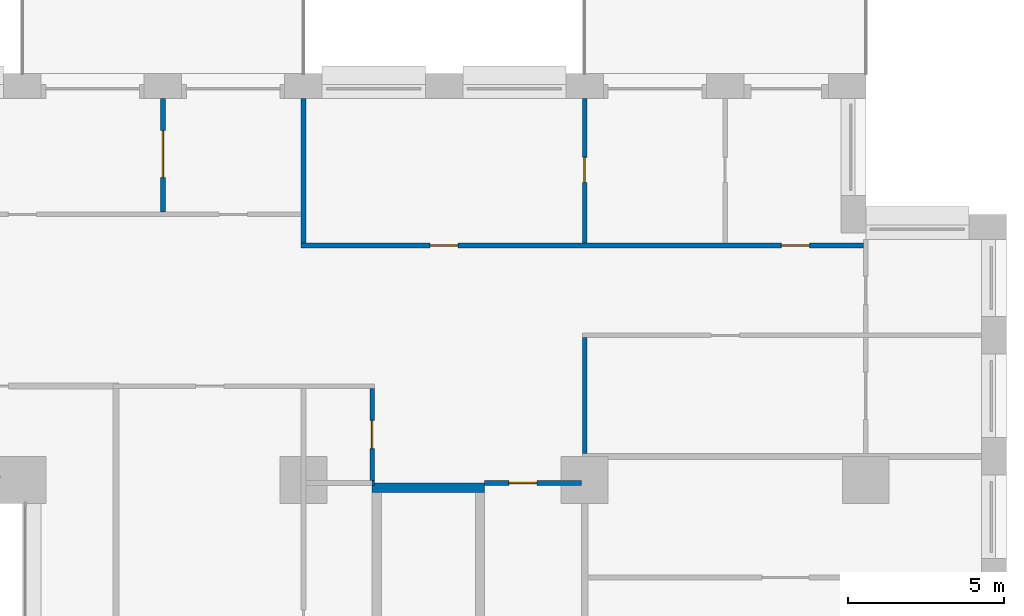
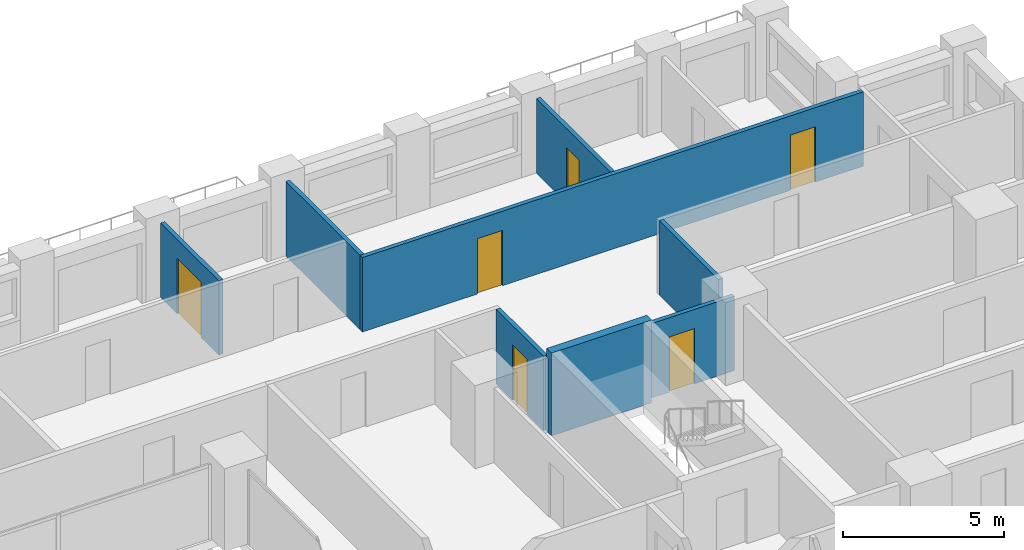
# One storey, part 15 of 20: 9 walls, 6 doors, 6 openings.
"""IFC4 building model written with IfcOpenShell, lengths in metres."""

from ifc_helpers import new_model, si_unit, direction, frame, frame_2d, origin, place, context, subcontext, project, spatial, rectangle, extrude, material, layer, layer_set, type_object, element, fill, save


model = new_model("IFC4")

# Units and contexts
model_context = context("Model", 3, precision=1e-05, world=origin(), true_north=direction((0.0, 1.0)))
body_context = subcontext(model_context, "Body", "Model", "MODEL_VIEW")
ifc_project = project(units=[si_unit("LENGTHUNIT", "METRE"), si_unit("AREAUNIT", "SQUARE_METRE"), si_unit("VOLUMEUNIT", "CUBIC_METRE"), si_unit("PLANEANGLEUNIT", "RADIAN"), si_unit("MASSUNIT", "GRAM", prefix="KILO")], contexts=[model_context])

# Site, building, storey
site_placement = place(None, origin())
site = spatial("IfcSite", under=ifc_project, at=site_placement, CompositionType="ELEMENT")
building_placement = place(site_placement, origin())
building = spatial("IfcBuilding", under=site, at=building_placement, Name="Brigalow Station Residences", CompositionType="ELEMENT")
storey_placement = place(building_placement, frame((0.0, 0.0, 63.60009765625)))
storey = spatial("IfcBuildingStorey", under=building, at=storey_placement, Name="L18", CompositionType="ELEMENT", Elevation=63.60009765625)

# Wall
ifc_material_1 = material(Name="Concrete C80", Category="concrete")
ifc_layer_1 = layer(ifc_material_1, 0.300048828125)
ifc_layer_set_1 = layer_set([ifc_layer_1], Name="CORE SHEAR WALL 300 C80")
wall_type_1 = type_object("IfcWallType", Name="CORE SHEAR WALL 300 C80", PredefinedType="SHEAR", material=ifc_layer_set_1)
wall_1_placement = place(storey_placement, frame((56.199951171875, 35.25, 0.0), z_axis=(0.0, 0.0, 1.0), x_axis=(1.0, 0.0, 0.0)))
element("IfcWall", 1, at=wall_1_placement, inside=storey, type_object=wall_type_1, Name="CORE WALL ST-S3-N L18", PredefinedType="SHEAR", context=body_context, shape_type="SweptSolid", body=[
    extrude(rectangle(XDim=3.60009765625, YDim=0.300048828125, at=frame_2d((1.800048828125, 0.0))), origin(), (0.0, 0.0, 1.0), 3.14990234375),
])

# Wall, openings, doors
ifc_material_2 = material(Name="Plasterboard on steel stud partition", Category="steel")
ifc_layer_2 = layer(ifc_material_2, 0.14990234375)
ifc_layer_set_2 = layer_set([ifc_layer_2], Name="FLAT PARTITION 150")
wall_type_2 = type_object("IfcWallType", Name="FLAT PARTITION 150", PredefinedType="PARTITIONING", material=ifc_layer_set_2)
wall_2_placement = place(storey_placement, frame((53.925048828125, 43.0, 0.0), z_axis=(0.0, 0.0, 1.0), x_axis=(1.0, 0.0, 0.0)))
wall_2 = element("IfcWall", 2, at=wall_2_placement, inside=storey, type_object=wall_type_2, Name="PW-1F23", PredefinedType="PARTITIONING", context=body_context, shape_type="SweptSolid", body=[
    extrude(rectangle(XDim=18.0, YDim=0.14990234375, at=frame_2d((9.0, 0.0))), origin(), (0.0, 0.0, 1.0), 2.829833984375),
])
opening_1_placement = place(wall_2_placement, frame((15.375, 0.0, 0.0)))
opening_1 = element("IfcOpeningElement", 3, at=opening_1_placement, cuts=wall_2, Name="Opening D-1F38", PredefinedType="OPENING", context=body_context, shape_type="SweptSolid", body=[
    extrude(rectangle(XDim=0.89990234375, YDim=2.10009765625, at=frame_2d((0.449951171875, 1.050048828125))), frame((0.0, 0.0849609375, 0.0), z_axis=(0.0, -1.0, 0.0), x_axis=(1.0, 0.0, 0.0)), (0.0, 0.0, 1.0), 0.169921875),
])
opening_2_placement = place(wall_2_placement, frame((4.125, 0.0, 0.0)))
opening_2 = element("IfcOpeningElement", 4, at=opening_2_placement, cuts=wall_2, Name="Opening D-1F44", PredefinedType="OPENING", context=body_context, shape_type="SweptSolid", body=[
    extrude(rectangle(XDim=0.89990234375, YDim=2.10009765625, at=frame_2d((0.449951171875, 1.050048828125))), frame((0.0, 0.0849609375, 0.0), z_axis=(0.0, -1.0, 0.0), x_axis=(1.0, 0.0, 0.0)), (0.0, 0.0, 1.0), 0.169921875),
])
ifc_material_3 = material(Name="Solid-core timber door leaf", Category="wood")
door_type_1 = type_object("IfcDoorType", Name="INTERNAL DOOR 900 x 2100", OperationType="SINGLE_SWING_LEFT", PredefinedType="DOOR", material=ifc_material_3)
door_1_placement = place(opening_1_placement, origin())
door_1 = element("IfcDoor", 5, at=door_1_placement, inside=storey, type_object=door_type_1, Name="D-1F38", OperationType="SINGLE_SWING_RIGHT", OverallHeight=2.10009765625, OverallWidth=0.89990234375, PredefinedType="DOOR", context=body_context, shape_type="SweptSolid", body=[
    extrude(rectangle(XDim=0.89990234375, YDim=2.10009765625, at=frame_2d((0.449951171875, 1.050048828125))), frame((0.0, 0.02490234375, 0.0), z_axis=(0.0, -1.0, 0.0), x_axis=(1.0, 0.0, 0.0)), (0.0, 0.0, 1.0), 0.050048828125),
])
fill(opening_1, door_1)
door_2_placement = place(opening_2_placement, origin())
door_2 = element("IfcDoor", 6, at=door_2_placement, inside=storey, type_object=door_type_1, Name="D-1F44", OperationType="SINGLE_SWING_RIGHT", OverallHeight=2.10009765625, OverallWidth=0.89990234375, PredefinedType="DOOR", context=body_context, shape_type="SweptSolid", body=[
    extrude(rectangle(XDim=0.89990234375, YDim=2.10009765625, at=frame_2d((0.449951171875, 1.050048828125))), frame((0.0, 0.02490234375, 0.0), z_axis=(0.0, -1.0, 0.0), x_axis=(1.0, 0.0, 0.0)), (0.0, 0.0, 1.0), 0.050048828125),
])
fill(opening_2, door_2)

# Wall
wall_3_placement = place(storey_placement, frame((56.199951171875, 35.39990234375, 0.0), z_axis=(0.0, 0.0, 1.0), x_axis=(1.0, 0.0, 0.0)))
element("IfcWall", 7, at=wall_3_placement, inside=storey, type_object=wall_type_2, Name="PW-1F27", PredefinedType="PARTITIONING", context=body_context, shape_type="SweptSolid", body=[
    extrude(rectangle(XDim=0.074951171875, YDim=0.14990234375, at=frame_2d((0.03759765625, 0.0))), origin(), (0.0, 0.0, 1.0), 2.829833984375),
])

# Wall, opening, door
wall_4_placement = place(storey_placement, frame((59.800048828125, 35.39990234375, 0.0), z_axis=(0.0, 0.0, 1.0), x_axis=(1.0, 0.0, 0.0)))
wall_4 = element("IfcWall", 8, at=wall_4_placement, inside=storey, type_object=wall_type_2, Name="PW-1F28", PredefinedType="PARTITIONING", context=body_context, shape_type="SweptSolid", body=[
    extrude(rectangle(XDim=3.099853515625, YDim=0.14990234375, at=frame_2d((1.5498046875, 0.0))), origin(), (0.0, 0.0, 1.0), 2.829833984375),
])
opening_3_placement = place(wall_4_placement, frame((0.77490234375, 0.0, 0.0)))
opening_3 = element("IfcOpeningElement", 9, at=opening_3_placement, cuts=wall_4, Name="Opening D-1F48", PredefinedType="OPENING", context=body_context, shape_type="SweptSolid", body=[
    extrude(rectangle(XDim=0.89990234375, YDim=2.10009765625, at=frame_2d((0.449951171875, 1.050048828125))), frame((0.0, 0.0849609375, 0.0), z_axis=(0.0, -1.0, 0.0), x_axis=(1.0, 0.0, 0.0)), (0.0, 0.0, 1.0), 0.169921875),
])
door_3_placement = place(opening_3_placement, frame((0.89990234375, 0.0, 0.0), z_axis=(0.0, 0.0, 1.0), x_axis=(-1.0, 0.0, 0.0)))
door_3 = element("IfcDoor", 10, at=door_3_placement, inside=storey, type_object=door_type_1, Name="D-1F48", OperationType="SINGLE_SWING_RIGHT", OverallHeight=2.10009765625, OverallWidth=0.89990234375, PredefinedType="DOOR", context=body_context, shape_type="SweptSolid", body=[
    extrude(rectangle(XDim=0.89990234375, YDim=2.10009765625, at=frame_2d((0.449951171875, 1.050048828125))), frame((0.0, 0.02490234375, 0.0), z_axis=(0.0, -1.0, 0.0), x_axis=(1.0, 0.0, 0.0)), (0.0, 0.0, 1.0), 0.050048828125),
])
fill(opening_3, door_3)

# Walls
wall_5_placement = place(storey_placement, frame((54.0, 43.074951171875, 0.0), z_axis=(0.0, 0.0, 1.0), x_axis=(0.0, 1.0, 0.0)))
element("IfcWall", 11, at=wall_5_placement, inside=storey, type_object=wall_type_2, Name="PW-1F42", PredefinedType="PARTITIONING", context=body_context, shape_type="SweptSolid", body=[
    extrude(rectangle(XDim=4.625, YDim=0.14990234375, at=frame_2d((2.3125, 0.0))), origin(), (0.0, 0.0, 1.0), 2.829833984375),
])
wall_6_placement = place(storey_placement, frame((63.0, 36.35009765625, 0.0), z_axis=(0.0, 0.0, 1.0), x_axis=(0.0, 1.0, 0.0)))
element("IfcWall", 12, at=wall_6_placement, inside=storey, type_object=wall_type_2, Name="PW-1F71", PredefinedType="PARTITIONING", context=body_context, shape_type="SweptSolid", body=[
    extrude(rectangle(XDim=3.699951171875, YDim=0.14990234375, at=frame_2d((1.85009765625, 0.0))), origin(), (0.0, 0.0, 1.0), 2.829833984375),
])

# Wall, opening, door
wall_7_placement = place(storey_placement, frame((63.0, 43.074951171875, 0.0), z_axis=(0.0, 0.0, 1.0), x_axis=(0.0, 1.0, 0.0)))
wall_7 = element("IfcWall", 13, at=wall_7_placement, inside=storey, type_object=wall_type_2, Name="PW-1F72", PredefinedType="PARTITIONING", context=body_context, shape_type="SweptSolid", body=[
    extrude(rectangle(XDim=4.625, YDim=0.14990234375, at=frame_2d((2.3125, 0.0))), origin(), (0.0, 0.0, 1.0), 2.829833984375),
])
opening_4_placement = place(wall_7_placement, frame((1.949951171875, 0.0, 0.0)))
opening_4 = element("IfcOpeningElement", 14, at=opening_4_placement, cuts=wall_7, Name="Opening D-1F41", PredefinedType="OPENING", context=body_context, shape_type="SweptSolid", body=[
    extrude(rectangle(XDim=0.800048828125, YDim=2.10009765625, at=frame_2d((0.39990234375, 1.050048828125))), frame((0.0, 0.0849609375, 0.0), z_axis=(0.0, -1.0, 0.0), x_axis=(1.0, 0.0, 0.0)), (0.0, 0.0, 1.0), 0.169921875),
])
ifc_material_4 = material(Name="Solid-core timber door leaf", Category="wood")
door_type_2 = type_object("IfcDoorType", Name="INTERNAL DOOR 800 x 2100", OperationType="SINGLE_SWING_LEFT", PredefinedType="DOOR", material=ifc_material_4)
door_4_placement = place(opening_4_placement, frame((0.800048828125, 0.0, 0.0), z_axis=(0.0, 0.0, 1.0), x_axis=(-1.0, 0.0, 0.0)))
door_4 = element("IfcDoor", 15, at=door_4_placement, inside=storey, type_object=door_type_2, Name="D-1F41", OperationType="SINGLE_SWING_LEFT", OverallHeight=2.10009765625, OverallWidth=0.800048828125, PredefinedType="DOOR", context=body_context, shape_type="SweptSolid", body=[
    extrude(rectangle(XDim=0.800048828125, YDim=2.10009765625, at=frame_2d((0.39990234375, 1.050048828125))), frame((0.0, 0.02490234375, 0.0), z_axis=(0.0, -1.0, 0.0), x_axis=(1.0, 0.0, 0.0)), (0.0, 0.0, 1.0), 0.050048828125),
])
fill(opening_4, door_4)

wall_8_placement = place(storey_placement, frame((56.199951171875, 35.47509765625, 0.0), z_axis=(0.0, 0.0, 1.0), x_axis=(0.0, 1.0, 0.0)))
wall_8 = element("IfcWall", 16, at=wall_8_placement, inside=storey, type_object=wall_type_2, Name="PW-1F74", PredefinedType="PARTITIONING", context=body_context, shape_type="SweptSolid", body=[
    extrude(rectangle(XDim=2.949951171875, YDim=0.14990234375, at=frame_2d((1.47509765625, 0.0))), origin(), (0.0, 0.0, 1.0), 2.829833984375),
])
opening_5_placement = place(wall_8_placement, frame((1.02490234375, 0.0, 0.0)))
opening_5 = element("IfcOpeningElement", 17, at=opening_5_placement, cuts=wall_8, Name="Opening D-1F47", PredefinedType="OPENING", context=body_context, shape_type="SweptSolid", body=[
    extrude(rectangle(XDim=0.89990234375, YDim=2.10009765625, at=frame_2d((0.449951171875, 1.050048828125))), frame((0.0, 0.0849609375, 0.0), z_axis=(0.0, -1.0, 0.0), x_axis=(1.0, 0.0, 0.0)), (0.0, 0.0, 1.0), 0.169921875),
])
door_5_placement = place(opening_5_placement, origin())
door_5 = element("IfcDoor", 18, at=door_5_placement, inside=storey, type_object=door_type_1, Name="D-1F47", OperationType="SINGLE_SWING_LEFT", OverallHeight=2.10009765625, OverallWidth=0.89990234375, PredefinedType="DOOR", context=body_context, shape_type="SweptSolid", body=[
    extrude(rectangle(XDim=0.89990234375, YDim=2.10009765625, at=frame_2d((0.449951171875, 1.050048828125))), frame((0.0, 0.02490234375, 0.0), z_axis=(0.0, -1.0, 0.0), x_axis=(1.0, 0.0, 0.0)), (0.0, 0.0, 1.0), 0.050048828125),
])
fill(opening_5, door_5)

wall_9_placement = place(storey_placement, frame((49.5, 44.074951171875, 0.0), z_axis=(0.0, 0.0, 1.0), x_axis=(0.0, 1.0, 0.0)))
wall_9 = element("IfcWall", 19, at=wall_9_placement, inside=storey, type_object=wall_type_2, Name="PW-1F78", PredefinedType="PARTITIONING", context=body_context, shape_type="SweptSolid", body=[
    extrude(rectangle(XDim=3.625, YDim=0.14990234375, at=frame_2d((1.8125, 0.0))), origin(), (0.0, 0.0, 1.0), 2.829833984375),
])
opening_6_placement = place(wall_9_placement, frame((1.10009765625, 0.0, 0.0)))
opening_6 = element("IfcOpeningElement", 20, at=opening_6_placement, cuts=wall_9, Name="Opening D-1F40", PredefinedType="OPENING", context=body_context, shape_type="SweptSolid", body=[
    extrude(rectangle(XDim=1.5, YDim=2.10009765625, at=frame_2d((0.75, 1.050048828125))), frame((0.0, 0.0849609375, 0.0), z_axis=(0.0, -1.0, 0.0), x_axis=(1.0, 0.0, 0.0)), (0.0, 0.0, 1.0), 0.169921875),
])
ifc_material_5 = material(Name="Solid-core timber door leaf", Category="wood")
door_type_3 = type_object("IfcDoorType", Name="INTERNAL DOUBLE DOOR 1500 x 2100", OperationType="DOUBLE_DOOR_SINGLE_SWING", PredefinedType="DOOR", material=ifc_material_5)
door_6_placement = place(opening_6_placement, frame((1.5, 0.0, 0.0), z_axis=(0.0, 0.0, 1.0), x_axis=(-1.0, 0.0, 0.0)))
door_6 = element("IfcDoor", 21, at=door_6_placement, inside=storey, type_object=door_type_3, Name="D-1F40", OperationType="DOUBLE_DOOR_SINGLE_SWING", OverallHeight=2.10009765625, OverallWidth=1.5, PredefinedType="DOOR", context=body_context, shape_type="SweptSolid", body=[
    extrude(rectangle(XDim=1.5, YDim=2.10009765625, at=frame_2d((0.75, 1.050048828125))), frame((0.0, 0.02490234375, 0.0), z_axis=(0.0, -1.0, 0.0), x_axis=(1.0, 0.0, 0.0)), (0.0, 0.0, 1.0), 0.050048828125),
])
fill(opening_6, door_6)

save(model, "model.ifc")
